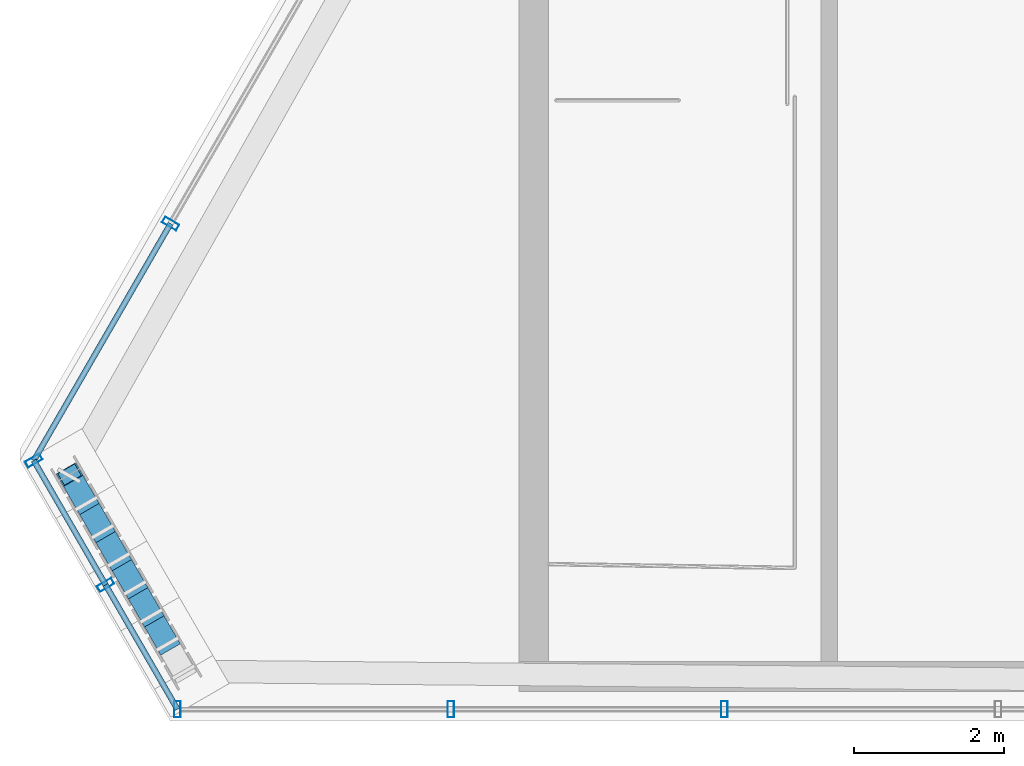
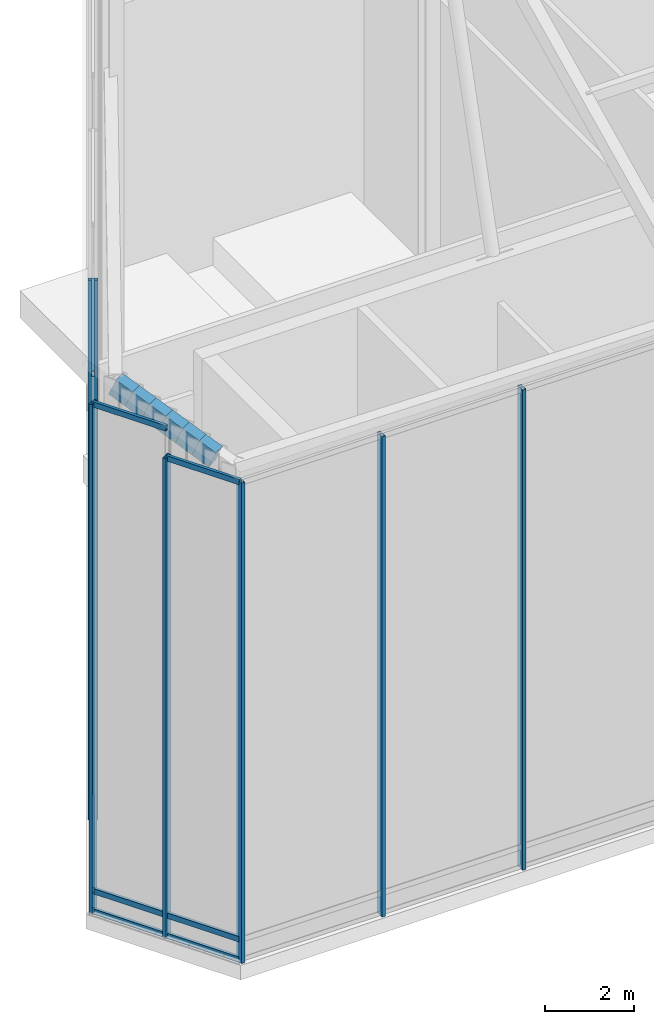
# One storey, part 3 of 36: 21 members, 4 elements without a shape of their own.
"""IFC4 building model written with IfcOpenShell, lengths in metres."""

from ifc_helpers import new_model, si_unit, direction, frame, origin, origin_2d, place, context, subcontext, project, spatial, hollow_rectangle, extrude, material, layer, layer_set, material_profile, profile_set, type_object, element, aggregate, save


model = new_model("IFC4")

# Units and contexts
model_context = context("Model", 3, precision=1e-05, world=origin(), true_north=direction((0.0, 1.0)))
body_context = subcontext(model_context, "Body", "Model", "MODEL_VIEW")
ifc_project = project(units=[si_unit("LENGTHUNIT", "METRE"), si_unit("AREAUNIT", "SQUARE_METRE"), si_unit("VOLUMEUNIT", "CUBIC_METRE"), si_unit("PLANEANGLEUNIT", "RADIAN"), si_unit("MASSUNIT", "GRAM", prefix="KILO")], contexts=[model_context])

# Site, building, storey
site_placement = place(None, origin())
site = spatial("IfcSite", under=ifc_project, at=site_placement, CompositionType="ELEMENT")
building_placement = place(site_placement, origin())
building = spatial("IfcBuilding", under=site, at=building_placement, Name="Ndaravel Arena Tower", CompositionType="ELEMENT")
storey_placement = place(building_placement, frame((0.0, 0.0, 308.10009765625)))
storey = spatial("IfcBuildingStorey", under=building, at=storey_placement, Name="Roof Crown", CompositionType="ELEMENT", Elevation=308.10009765625)

# Members
ifc_material_1 = material(Name="Steel S355", Category="steel")
ifc_material_profile_1 = material_profile(ifc_material_1, hollow_rectangle(XDim=0.300048828125, YDim=0.5, WallThickness=0.02001953125, at=origin_2d()), Name="RHS 500x300x20")
ifc_profile_set_1 = profile_set([ifc_material_profile_1], Name="Steel S355")
member_type_1 = type_object("IfcMemberType", Name="MEM-CRN-RAFTER", PredefinedType="RAFTER", material=ifc_profile_set_1)
member_1_placement = place(storey_placement, frame((20.443115234375, 8.29736328125, 14.46826171875), z_axis=(0.460340599782, -0.797820025973, -0.389319583824), x_axis=(0.866157475642, 0.499771175029, 0.0)))
element("IfcMember", 1, at=member_1_placement, inside=storey, type_object=member_type_1, Name="Crown Eaves Ring Member CER-20", PredefinedType="RAFTER", context=body_context, shape_type="SweptSolid", body=[
    extrude(hollow_rectangle(XDim=0.300048828125, YDim=0.5, WallThickness=0.02001953125, at=origin_2d()), origin(), (0.0, 0.0, 1.0), 0.470947265625),
])
member_2_placement = place(storey_placement, frame((20.659912109375, 7.921630859375, 14.284912109375), z_axis=(0.461032553142, -0.79760187484, -0.388947598264), x_axis=(0.865772940384, 0.500437024708, 0.0)))
element("IfcMember", 2, at=member_2_placement, inside=storey, type_object=member_type_1, Name="Crown Eaves Ring Member CER-21", PredefinedType="RAFTER", context=body_context, shape_type="SweptSolid", body=[
    extrude(hollow_rectangle(XDim=0.300048828125, YDim=0.5, WallThickness=0.02001953125, at=origin_2d()), origin(), (0.0, 0.0, 1.0), 0.470703125),
])
member_3_placement = place(storey_placement, frame((20.876953125, 7.546142578125, 14.101806640625), z_axis=(0.460340599782, -0.797820025973, -0.389319583824), x_axis=(0.866157475642, 0.499771175029, 0.0)))
element("IfcMember", 3, at=member_3_placement, inside=storey, type_object=member_type_1, Name="Crown Eaves Ring Member CER-22", PredefinedType="RAFTER", context=body_context, shape_type="SweptSolid", body=[
    extrude(hollow_rectangle(XDim=0.300048828125, YDim=0.5, WallThickness=0.02001953125, at=origin_2d()), origin(), (0.0, 0.0, 1.0), 0.470947265625),
])
member_4_placement = place(storey_placement, frame((21.09375, 7.17041015625, 13.91845703125), z_axis=(0.460624038162, -0.797792534564, -0.389040572772), x_axis=(0.866016800201, 0.500014901547, 0.0)))
element("IfcMember", 4, at=member_4_placement, inside=storey, type_object=member_type_1, Name="Crown Eaves Ring Member CER-23", PredefinedType="RAFTER", context=body_context, shape_type="SweptSolid", body=[
    extrude(hollow_rectangle(XDim=0.300048828125, YDim=0.5, WallThickness=0.02001953125, at=origin_2d()), origin(), (0.0, 0.0, 1.0), 0.470703125),
])
for number, where, z_axis, x_axis, name in (
    (5, (21.310546875, 6.794921875, 13.7353515625), (0.460748998842, -0.797629594171, -0.389226657064), (0.865913813825, 0.500193229689, 0.0), "Crown Eaves Ring Member CER-24"),
    (6, (21.527587890625, 6.419189453125, 13.552001953125), (0.460433473753, -0.797980986605, -0.388879623102), (0.866157475642, 0.499771175029, 0.0), "Crown Eaves Ring Member CER-25"),
):
    element("IfcMember", number, at=place(storey_placement, frame(where, z_axis=z_axis, x_axis=x_axis)), inside=storey, type_object=member_type_1, Name=name, PredefinedType="RAFTER", context=body_context, shape_type="SweptSolid", body=[
        extrude(hollow_rectangle(XDim=0.300048828125, YDim=0.5, WallThickness=0.02001953125, at=origin_2d()), origin(), (0.0, 0.0, 1.0), 0.470947265625),
    ])

# Curtain wall, members
ifc_material_2 = material(Name="Aluminium", Category="aluminium")
ifc_layer = layer(ifc_material_2, 0.179931640625)
ifc_layer_set = layer_set([ifc_layer], Name="Aluminium")
curtain_wall_type = type_object("IfcCurtainWallType", Name="CW-SYS-06", PredefinedType="NOTDEFINED", material=ifc_layer_set)
curtain_wall_1_placement = place(storey_placement, origin())
curtain_wall_1 = element("IfcCurtainWall", 7, at=curtain_wall_1_placement, inside=storey, type_object=curtain_wall_type, Name="Roof Crown Sloped Crown Lantern Curtain Wall CW-CROWN-E01", PredefinedType="NOTDEFINED")
ifc_material_3 = material(Name="Aluminium", Category="aluminium")
ifc_material_profile_2 = material_profile(ifc_material_3, hollow_rectangle(XDim=0.090087890625, YDim=0.219970703125, WallThickness=0.0048828125, at=origin_2d()), Name="CW MULLION 90x220x5")
ifc_profile_set_2 = profile_set([ifc_material_profile_2], Name="Aluminium")
member_type_2 = type_object("IfcMemberType", Name="MEM-CW-MUL220", PredefinedType="MULLION", material=ifc_profile_set_2)
member_5_placement = place(storey_placement, frame((21.885009765625, 5.159912109375, 0.0), z_axis=(0.0, 0.0, 1.0), x_axis=(1.0, 0.0, 0.0)))
member_5 = element("IfcMember", 8, at=member_5_placement, type_object=member_type_2, Name="CW-CROWN-E01 Mullion 00", PredefinedType="MULLION", context=body_context, shape_type="SweptSolid", body=[
    extrude(hollow_rectangle(XDim=0.090087890625, YDim=0.219970703125, WallThickness=0.0048828125, at=origin_2d()), origin(), (0.0, 0.0, 1.0), 13.2080078125),
])
member_6_placement = place(storey_placement, frame((25.542236328125, 5.159912109375, 0.0), z_axis=(0.0, 0.0, 1.0), x_axis=(1.0, 0.0, 0.0)))
member_6 = element("IfcMember", 9, at=member_6_placement, type_object=member_type_2, Name="CW-CROWN-E01 Mullion 01", PredefinedType="MULLION", context=body_context, shape_type="SweptSolid", body=[
    extrude(hollow_rectangle(XDim=0.090087890625, YDim=0.219970703125, WallThickness=0.0048828125, at=origin_2d()), origin(), (0.0, 0.0, 1.0), 13.2080078125),
])
member_7_placement = place(storey_placement, frame((29.199462890625, 5.159912109375, 0.0), z_axis=(0.0, 0.0, 1.0), x_axis=(1.0, 0.0, 0.0)))
member_7 = element("IfcMember", 10, at=member_7_placement, type_object=member_type_2, Name="CW-CROWN-E01 Mullion 02", PredefinedType="MULLION", context=body_context, shape_type="SweptSolid", body=[
    extrude(hollow_rectangle(XDim=0.090087890625, YDim=0.219970703125, WallThickness=0.0048828125, at=origin_2d()), origin(), (0.0, 0.0, 1.0), 13.2080078125),
])
aggregate(curtain_wall_1, [member_5, member_6, member_7])

# Curtain wall, member
curtain_wall_2_placement = place(storey_placement, origin())
curtain_wall_2 = element("IfcCurtainWall", 11, at=curtain_wall_2_placement, inside=storey, type_object=curtain_wall_type, Name="Roof Crown Sloped Crown Lantern Curtain Wall CW-CROWN-E05-S11", PredefinedType="NOTDEFINED")
member_8_placement = place(storey_placement, frame((21.793701171875, 11.652587890625, 0.0), z_axis=(0.0, 0.0, 1.0), x_axis=(-0.499984884929, -0.866034130299, 0.0)))
member_8 = element("IfcMember", 12, at=member_8_placement, type_object=member_type_2, Name="CW-CROWN-E05-S11 Mullion 00", PredefinedType="MULLION", context=body_context, shape_type="SweptSolid", body=[
    extrude(hollow_rectangle(XDim=0.090087890625, YDim=0.219970703125, WallThickness=0.0048828125, at=origin_2d()), origin(), (0.0, 0.0, 1.0), 14.829833984375),
])

curtain_wall_3_placement = place(storey_placement, origin())
curtain_wall_3 = element("IfcCurtainWall", 13, at=curtain_wall_3_placement, inside=storey, type_object=curtain_wall_type, Name="Roof Crown Sloped Crown Lantern Curtain Wall CW-CROWN-E06-S01", PredefinedType="NOTDEFINED")
member_9_placement = place(storey_placement, frame((19.965087890625, 8.485107421875, 0.0), z_axis=(0.0, 0.0, 1.0), x_axis=(0.5, -0.866025403784, 0.0)))
member_9 = element("IfcMember", 14, at=member_9_placement, type_object=member_type_2, Name="CW-CROWN-E06-S01 Mullion 00", PredefinedType="MULLION", context=body_context, shape_type="SweptSolid", body=[
    extrude(hollow_rectangle(XDim=0.090087890625, YDim=0.219970703125, WallThickness=0.0048828125, at=origin_2d()), origin(), (0.0, 0.0, 1.0), 14.018798828125),
])

curtain_wall_4_placement = place(storey_placement, origin())
curtain_wall_4 = element("IfcCurtainWall", 15, at=curtain_wall_4_placement, inside=storey, type_object=curtain_wall_type, Name="Roof Crown Sloped Crown Lantern Curtain Wall CW-CROWN-E06-S02", PredefinedType="NOTDEFINED")
member_10_placement = place(storey_placement, frame((20.925048828125, 6.822509765625, 0.0), z_axis=(0.0, 0.0, 1.0), x_axis=(0.5, -0.866025403784, 0.0)))
member_10 = element("IfcMember", 16, at=member_10_placement, type_object=member_type_2, Name="CW-CROWN-E06-S02 Mullion 00", PredefinedType="MULLION", context=body_context, shape_type="SweptSolid", body=[
    extrude(hollow_rectangle(XDim=0.090087890625, YDim=0.219970703125, WallThickness=0.0048828125, at=origin_2d()), origin(), (0.0, 0.0, 1.0), 13.2080078125),
])

# Member
ifc_material_4 = material(Name="Aluminium", Category="aluminium")
ifc_material_profile_3 = material_profile(ifc_material_4, hollow_rectangle(XDim=0.074951171875, YDim=0.14990234375, WallThickness=0.00390625, at=origin_2d()), Name="CW TRANSOM 75x150x4")
ifc_profile_set_3 = profile_set([ifc_material_profile_3], Name="Aluminium")
member_type_3 = type_object("IfcMemberType", Name="MEM-CW-TRN150", PredefinedType="USERDEFINED", material=ifc_profile_set_3)
member_11_placement = place(storey_placement, frame((21.793701171875, 11.652587890625, 0.039794921875), z_axis=(-0.499972845398, -0.866041080934, 0.0), x_axis=(0.866041080934, -0.499972845398, 0.0)))
member_11 = element("IfcMember", 17, at=member_11_placement, type_object=member_type_3, Name="CW-CROWN-E05-S11 Transom 01", ObjectType="TRANSOM", PredefinedType="USERDEFINED", context=body_context, shape_type="SweptSolid", body=[
    extrude(hollow_rectangle(XDim=0.074951171875, YDim=0.14990234375, WallThickness=0.00390625, at=origin_2d()), origin(), (0.0, 0.0, 1.0), 3.657470703125),
])

member_12_placement = place(storey_placement, frame((21.793701171875, 11.652587890625, 0.599853515625), z_axis=(-0.499972845398, -0.866041080934, 0.0), x_axis=(0.866041080934, -0.499972845398, 0.0)))
member_12 = element("IfcMember", 18, at=member_12_placement, type_object=member_type_3, Name="CW-CROWN-E05-S11 Transom 02", ObjectType="TRANSOM", PredefinedType="USERDEFINED", context=body_context, shape_type="SweptSolid", body=[
    extrude(hollow_rectangle(XDim=0.074951171875, YDim=0.14990234375, WallThickness=0.00390625, at=origin_2d()), origin(), (0.0, 0.0, 1.0), 3.657470703125),
])

member_13_placement = place(storey_placement, frame((21.793701171875, 11.652587890625, 14.789794921875), z_axis=(-0.499972845398, -0.866041080934, 0.0), x_axis=(0.866041080934, -0.499972845398, 0.0)))
member_13 = element("IfcMember", 19, at=member_13_placement, type_object=member_type_3, Name="CW-CROWN-E05-S11 Transom 03", ObjectType="TRANSOM", PredefinedType="USERDEFINED", context=body_context, shape_type="SweptSolid", body=[
    extrude(hollow_rectangle(XDim=0.074951171875, YDim=0.14990234375, WallThickness=0.00390625, at=origin_2d()), origin(), (0.0, 0.0, 1.0), 3.657470703125),
])

aggregate(curtain_wall_2, [member_8, member_11, member_12, member_13])

member_14_placement = place(storey_placement, frame((19.965087890625, 8.485107421875, 0.039794921875), z_axis=(0.500023335103, -0.866011930837, 0.0), x_axis=(0.866011930837, 0.500023335103, 0.0)))
member_14 = element("IfcMember", 20, at=member_14_placement, type_object=member_type_3, Name="CW-CROWN-E06-S01 Transom 01", ObjectType="TRANSOM", PredefinedType="USERDEFINED", context=body_context, shape_type="SweptSolid", body=[
    extrude(hollow_rectangle(XDim=0.074951171875, YDim=0.14990234375, WallThickness=0.00390625, at=origin_2d()), origin(), (0.0, 0.0, 1.0), 1.919921875),
])

member_15_placement = place(storey_placement, frame((19.965087890625, 8.485107421875, 0.599853515625), z_axis=(0.500023335103, -0.866011930837, 0.0), x_axis=(0.866011930837, 0.500023335103, 0.0)))
member_15 = element("IfcMember", 21, at=member_15_placement, type_object=member_type_3, Name="CW-CROWN-E06-S01 Transom 02", ObjectType="TRANSOM", PredefinedType="USERDEFINED", context=body_context, shape_type="SweptSolid", body=[
    extrude(hollow_rectangle(XDim=0.074951171875, YDim=0.14990234375, WallThickness=0.00390625, at=origin_2d()), origin(), (0.0, 0.0, 1.0), 1.919921875),
])

member_16_placement = place(storey_placement, frame((19.965087890625, 8.485107421875, 13.97900390625), z_axis=(0.500023335103, -0.866011930837, 0.0), x_axis=(0.866011930837, 0.500023335103, 0.0)))
member_16 = element("IfcMember", 22, at=member_16_placement, type_object=member_type_3, Name="CW-CROWN-E06-S01 Transom 03", ObjectType="TRANSOM", PredefinedType="USERDEFINED", context=body_context, shape_type="SweptSolid", body=[
    extrude(hollow_rectangle(XDim=0.074951171875, YDim=0.14990234375, WallThickness=0.00390625, at=origin_2d()), origin(), (0.0, 0.0, 1.0), 1.919921875),
])

aggregate(curtain_wall_3, [member_9, member_14, member_15, member_16])

member_17_placement = place(storey_placement, frame((20.925048828125, 6.822509765625, 0.039794921875), z_axis=(0.500023335103, -0.866011930837, 0.0), x_axis=(0.866011930837, 0.500023335103, 0.0)))
member_17 = element("IfcMember", 23, at=member_17_placement, type_object=member_type_3, Name="CW-CROWN-E06-S02 Transom 01", ObjectType="TRANSOM", PredefinedType="USERDEFINED", context=body_context, shape_type="SweptSolid", body=[
    extrude(hollow_rectangle(XDim=0.074951171875, YDim=0.14990234375, WallThickness=0.00390625, at=origin_2d()), origin(), (0.0, 0.0, 1.0), 1.919921875),
])

member_18_placement = place(storey_placement, frame((20.925048828125, 6.822509765625, 0.599853515625), z_axis=(0.500023335103, -0.866011930837, 0.0), x_axis=(0.866011930837, 0.500023335103, 0.0)))
member_18 = element("IfcMember", 24, at=member_18_placement, type_object=member_type_3, Name="CW-CROWN-E06-S02 Transom 02", ObjectType="TRANSOM", PredefinedType="USERDEFINED", context=body_context, shape_type="SweptSolid", body=[
    extrude(hollow_rectangle(XDim=0.074951171875, YDim=0.14990234375, WallThickness=0.00390625, at=origin_2d()), origin(), (0.0, 0.0, 1.0), 1.919921875),
])

member_19_placement = place(storey_placement, frame((20.925048828125, 6.822509765625, 13.16796875), z_axis=(0.500023335103, -0.866011930837, 0.0), x_axis=(0.866011930837, 0.500023335103, 0.0)))
member_19 = element("IfcMember", 25, at=member_19_placement, type_object=member_type_3, Name="CW-CROWN-E06-S02 Transom 03", ObjectType="TRANSOM", PredefinedType="USERDEFINED", context=body_context, shape_type="SweptSolid", body=[
    extrude(hollow_rectangle(XDim=0.074951171875, YDim=0.14990234375, WallThickness=0.00390625, at=origin_2d()), origin(), (0.0, 0.0, 1.0), 1.919921875),
])

aggregate(curtain_wall_4, [member_10, member_17, member_18, member_19])

save(model, "model.ifc")
